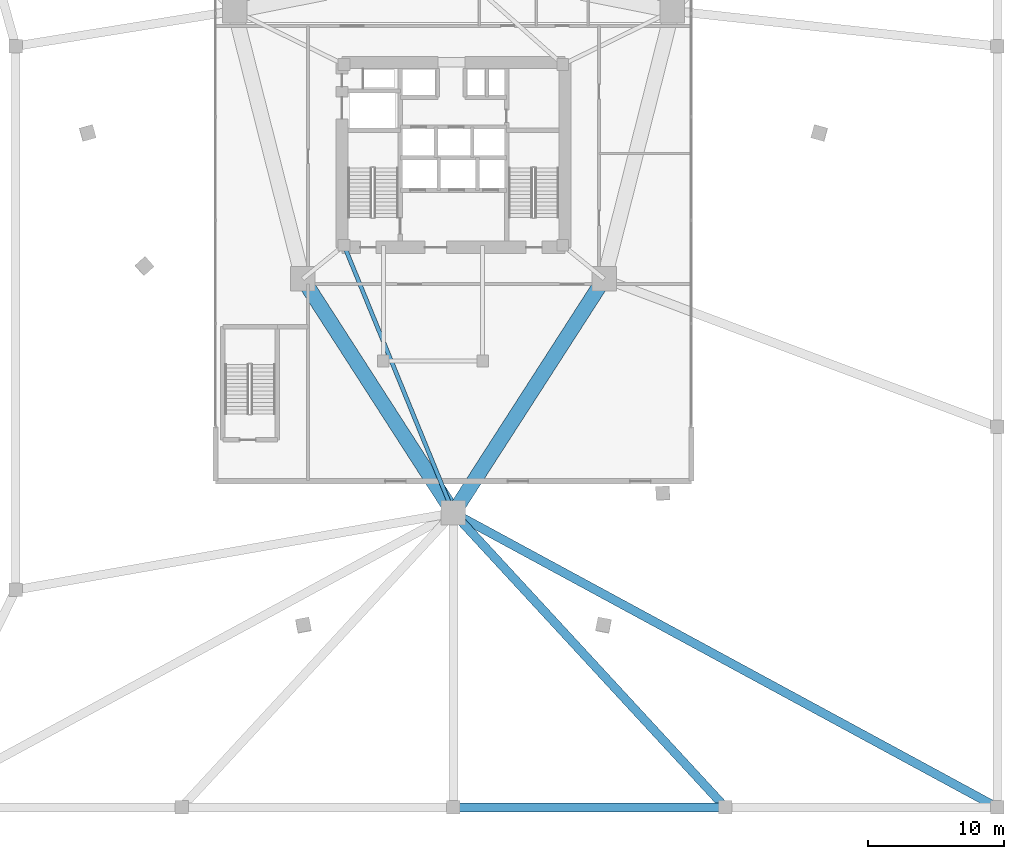
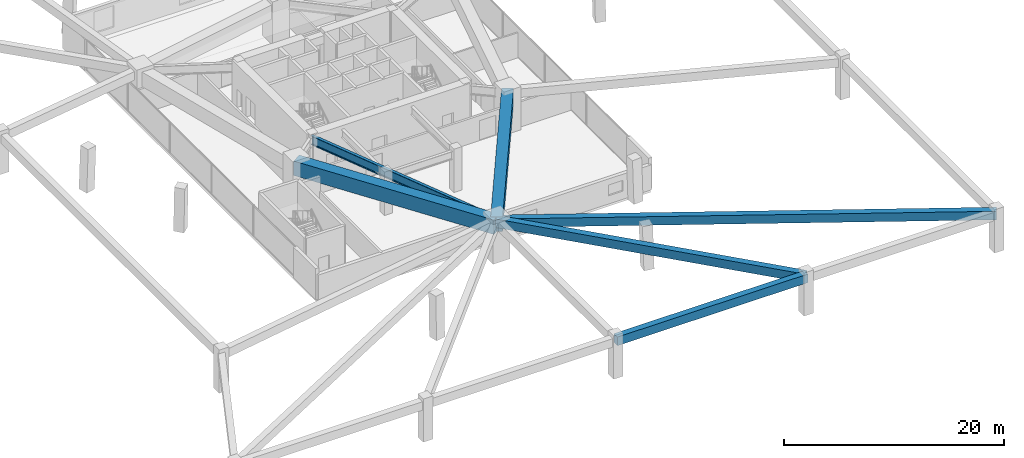
# One storey, part 3 of 15: 6 beams.
"""IFC4 building model written with IfcOpenShell, lengths in metres."""

from ifc_helpers import new_model, si_unit, direction, frame, origin, origin_2d, place, context, subcontext, project, spatial, rectangle, i_section, extrude, material, material_profile, profile_set, type_object, element, save


model = new_model("IFC4")

# Units and contexts
model_context = context("Model", 3, precision=1e-05, world=origin(), true_north=direction((0.0, 1.0)))
body_context = subcontext(model_context, "Body", "Model", "MODEL_VIEW")
ifc_project = project(units=[si_unit("LENGTHUNIT", "METRE"), si_unit("AREAUNIT", "SQUARE_METRE"), si_unit("VOLUMEUNIT", "CUBIC_METRE"), si_unit("PLANEANGLEUNIT", "RADIAN"), si_unit("MASSUNIT", "GRAM", prefix="KILO")], contexts=[model_context])

# Site, building, storey
site_placement = place(None, origin())
site = spatial("IfcSite", under=ifc_project, at=site_placement, CompositionType="ELEMENT")
building_placement = place(site_placement, origin())
building = spatial("IfcBuilding", under=site, at=building_placement, Name="Talyreon Biosciences Tower", CompositionType="ELEMENT")
storey_placement = place(building_placement, frame((0.0, 0.0, 5.39990234375)))
storey = spatial("IfcBuildingStorey", under=building, at=storey_placement, Name="L01", CompositionType="ELEMENT", Elevation=5.39990234375)

# Beams
ifc_material_1 = material(Name="Concrete C50/60", Category="concrete")
ifc_material_profile_1 = material_profile(ifc_material_1, rectangle(XDim=0.64990234375, YDim=0.949951171875, at=origin_2d()), Name="RCB 650x950")
ifc_profile_set_1 = profile_set([ifc_material_profile_1], Name="Concrete C50/60")
beam_type_1 = type_object("IfcBeamType", Name="PodiumGirder_650x950", PredefinedType="T_BEAM", material=ifc_profile_set_1)
beam_1_placement = place(storey_placement, frame((66.0, 20.0, 3.925048828125), z_axis=(1.0, 0.0, 0.0), x_axis=(0.0, 1.0, 0.0)))
element("IfcBeam", 1, at=beam_1_placement, inside=storey, type_object=beam_type_1, Name="L01 Podium Perimeter Ring Girder 03", PredefinedType="T_BEAM", context=body_context, shape_type="SweptSolid", body=[
    extrude(rectangle(XDim=0.64990234375, YDim=0.949951171875, at=origin_2d()), origin(), (0.0, 0.0, 1.0), 20.0),
])
beam_2_placement = place(storey_placement, frame((66.0, 41.6669921875, 3.925048828125), z_axis=(0.678274600536, -0.73480852354, 0.0), x_axis=(0.73480852354, 0.678274600536, 0.0)))
element("IfcBeam", 2, at=beam_2_placement, inside=storey, type_object=beam_type_1, Name="L01 Podium Radial Tie Girder PDC04", PredefinedType="T_BEAM", context=body_context, shape_type="SweptSolid", body=[
    extrude(rectangle(XDim=0.64990234375, YDim=0.949951171875, at=origin_2d()), origin(), (0.0, 0.0, 1.0), 29.486572265625),
])
beam_3_placement = place(storey_placement, frame((66.0, 41.6669921875, 3.925048828125), z_axis=(0.879288969782, -0.47628868097, 0.0), x_axis=(0.47628868097, 0.879288969782, 0.0)))
element("IfcBeam", 3, at=beam_3_placement, inside=storey, type_object=beam_type_1, Name="L01 Podium Radial Tie Girder PDC05", PredefinedType="T_BEAM", context=body_context, shape_type="SweptSolid", body=[
    extrude(rectangle(XDim=0.64990234375, YDim=0.949951171875, at=origin_2d()), origin(), (0.0, 0.0, 1.0), 45.4912109375),
])
ifc_material_2 = material(Name="Steel SM420", Category="steel")
ifc_material_profile_2 = material_profile(ifc_material_2, i_section(OverallWidth=0.302001953125, OverallDepth=1.008056640625, WebThickness=0.02099609375, FlangeThickness=0.0400390625, FilletRadius=0.030029296875, at=origin_2d()), Name="HE1000M")
ifc_profile_set_2 = profile_set([ifc_material_profile_2], Name="Steel SM420")
beam_type_2 = type_object("IfcBeamType", Name="SteelGirder_HE1000M", PredefinedType="BEAM", material=ifc_profile_set_2)
beam_4_placement = place(storey_placement, frame((57.949951171875, 61.35009765625, 3.89599609375), z_axis=(0.378547014545, -0.925582064314, 0.0), x_axis=(0.925582064314, 0.378547014545, 0.0)))
element("IfcBeam", 4, at=beam_4_placement, inside=storey, type_object=beam_type_2, Name="L01 Radial Primary Girder 1", PredefinedType="BEAM", context=body_context, shape_type="SweptSolid", body=[
    extrude(i_section(OverallWidth=0.302001953125, OverallDepth=1.008056640625, WebThickness=0.02099609375, FlangeThickness=0.0400390625, FilletRadius=0.030029296875, at=origin_2d()), origin(), (0.0, 0.0, 1.0), 21.265625),
])
ifc_material_profile_3 = material_profile(ifc_material_1, rectangle(XDim=1.10009765625, YDim=1.60009765625, at=origin_2d()), Name="RCB 1100x1600")
ifc_profile_set_3 = profile_set([ifc_material_profile_3], Name="Concrete C50/60")
beam_type_3 = type_object("IfcBeamType", Name="TransferGirder_1100x1600", PredefinedType="T_BEAM", material=ifc_profile_set_3)
for number, where, z_axis, x_axis, name in (
    (5, (66.0, 41.6669921875, 3.60009765625), (0.541463723609, 0.840724114092, 0.0), (-0.840724114092, 0.541463723609, 0.0), "L01 Mega-Ring Girder 1"),
    (6, (54.913818359375, 58.88037109375, 3.60009765625), (0.541463723609, -0.840724114092, 0.0), (0.840724114092, 0.541463723609, 0.0), "L01 Mega-Ring Girder 6"),
):
    element("IfcBeam", number, at=place(storey_placement, frame(where, z_axis=z_axis, x_axis=x_axis)), inside=storey, type_object=beam_type_3, Name=name, PredefinedType="T_BEAM", context=body_context, shape_type="SweptSolid", body=[
        extrude(rectangle(XDim=1.10009765625, YDim=1.60009765625, at=origin_2d()), origin(), (0.0, 0.0, 1.0), 20.474365234375),
    ])

save(model, "model.ifc")
